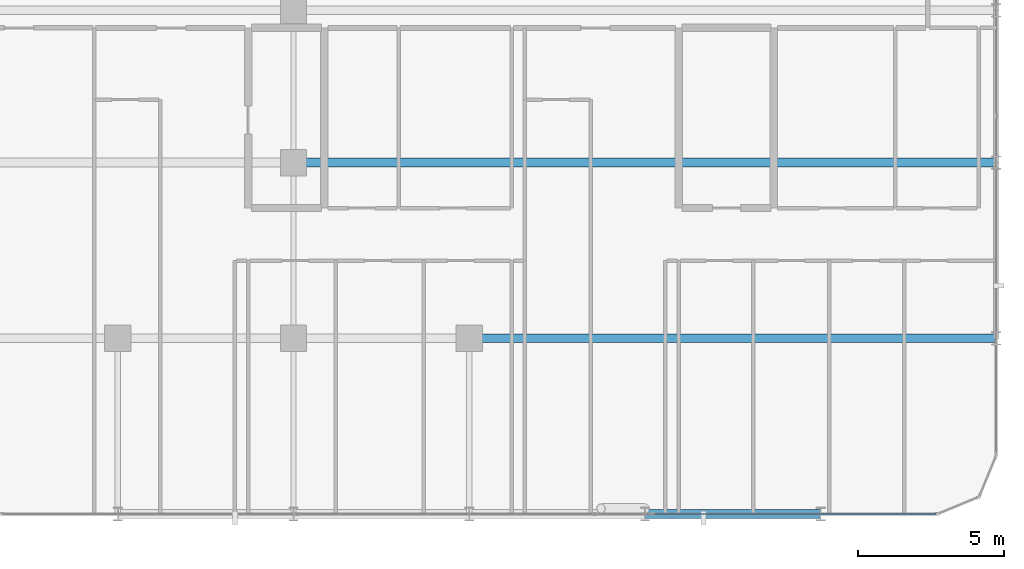
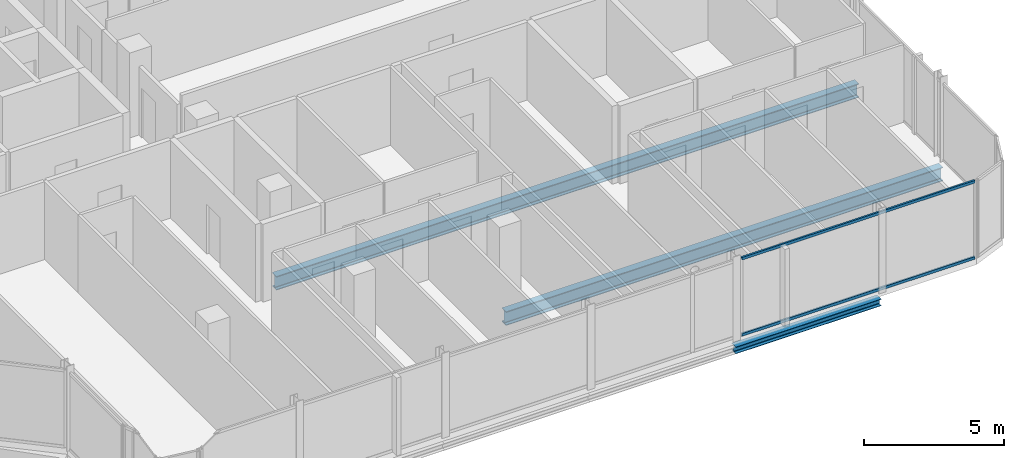
# One storey, part 11 of 29: 3 beams, 2 members, 1 element without a shape of its own.
"""IFC4 building model written with IfcOpenShell, lengths in metres."""

from ifc_helpers import new_model, si_unit, direction, frame, origin, origin_2d, place, context, subcontext, project, spatial, hollow_rectangle, i_section, extrude, material, layer, layer_set, material_profile, profile_set, type_object, element, aggregate, save


model = new_model("IFC4")

# Units and contexts
model_context = context("Model", 3, precision=1e-05, world=origin(), true_north=direction((0.0, 1.0)))
body_context = subcontext(model_context, "Body", "Model", "MODEL_VIEW")
ifc_project = project(units=[si_unit("LENGTHUNIT", "METRE"), si_unit("AREAUNIT", "SQUARE_METRE"), si_unit("VOLUMEUNIT", "CUBIC_METRE"), si_unit("PLANEANGLEUNIT", "RADIAN"), si_unit("MASSUNIT", "GRAM", prefix="KILO")], contexts=[model_context])

# Site, building, storey
site_placement = place(None, origin())
site = spatial("IfcSite", under=ifc_project, at=site_placement, CompositionType="ELEMENT")
building_placement = place(site_placement, origin())
building = spatial("IfcBuilding", under=site, at=building_placement, Name="Keshet Zoharim Tower", CompositionType="ELEMENT")
storey_placement = place(building_placement, frame((0.0, 0.0, 188.39990234375)))
storey = spatial("IfcBuildingStorey", under=building, at=storey_placement, Name="L46", CompositionType="ELEMENT", Elevation=188.39990234375)

# Beams
ifc_material_1 = material(Name="Steel S355", Category="steel")
ifc_material_profile_1 = material_profile(ifc_material_1, i_section(OverallWidth=0.300048828125, OverallDepth=0.60009765625, WebThickness=0.015380859375, FlangeThickness=0.030029296875, FilletRadius=0.027099609375, at=origin_2d()), Name="HEB600")
ifc_profile_set_1 = profile_set([ifc_material_profile_1], Name="Steel S355")
beam_type_1 = type_object("IfcBeamType", Name="BM-LNG-HB600", PredefinedType="BEAM", material=ifc_profile_set_1)
beam_1_placement = place(storey_placement, frame((39.0, 6.699951171875, -0.60986328125), z_axis=(1.0, 0.0, 0.0), x_axis=(0.0, 1.0, 0.0)))
element("IfcBeam", 1, at=beam_1_placement, inside=storey, type_object=beam_type_1, Name="L46 Primary Girder X-008", PredefinedType="BEAM", context=body_context, shape_type="SweptSolid", body=[
    extrude(i_section(OverallWidth=0.300048828125, OverallDepth=0.60009765625, WebThickness=0.015380859375, FlangeThickness=0.030029296875, FilletRadius=0.027099609375, at=origin_2d()), origin(), (0.0, 0.0, 1.0), 18.0),
])
beam_2_placement = place(storey_placement, frame((33.0, 12.699951171875, -0.60986328125), z_axis=(1.0, 0.0, 0.0), x_axis=(0.0, 1.0, 0.0)))
element("IfcBeam", 2, at=beam_2_placement, inside=storey, type_object=beam_type_1, Name="L46 Primary Girder X-010", PredefinedType="BEAM", context=body_context, shape_type="SweptSolid", body=[
    extrude(i_section(OverallWidth=0.300048828125, OverallDepth=0.60009765625, WebThickness=0.015380859375, FlangeThickness=0.030029296875, FilletRadius=0.027099609375, at=origin_2d()), origin(), (0.0, 0.0, 1.0), 24.0),
])
ifc_material_profile_2 = material_profile(ifc_material_1, i_section(OverallWidth=0.300048828125, OverallDepth=0.300048828125, WebThickness=0.010986328125, FlangeThickness=0.01904296875, FilletRadius=0.027099609375, at=origin_2d()), Name="HEB300")
ifc_profile_set_2 = profile_set([ifc_material_profile_2], Name="Steel S355")
beam_type_2 = type_object("IfcBeamType", Name="BM-PRI-HB300", PredefinedType="BEAM", material=ifc_profile_set_2)
beam_3_placement = place(storey_placement, frame((45.0, 0.699951171875, -0.4599609375), z_axis=(1.0, 0.0, 0.0), x_axis=(0.0, 1.0, 0.0)))
element("IfcBeam", 3, at=beam_3_placement, inside=storey, type_object=beam_type_2, Name="L46 Primary Girder X-004", PredefinedType="BEAM", context=body_context, shape_type="SweptSolid", body=[
    extrude(i_section(OverallWidth=0.300048828125, OverallDepth=0.300048828125, WebThickness=0.010986328125, FlangeThickness=0.01904296875, FilletRadius=0.027099609375, at=origin_2d()), origin(), (0.0, 0.0, 1.0), 6.0),
])

# Curtain wall, members
ifc_material_2 = material(Name="Aluminium 6063-T6", Category="aluminium")
ifc_layer = layer(ifc_material_2, 0.139892578125)
ifc_layer_set = layer_set([ifc_layer], Name="Aluminium 6063-T6")
curtain_wall_type = type_object("IfcCurtainWallType", Name="CW-SYS-05", PredefinedType="NOTDEFINED", material=ifc_layer_set)
curtain_wall_placement = place(storey_placement, origin())
curtain_wall = element("IfcCurtainWall", 4, at=curtain_wall_placement, inside=storey, type_object=curtain_wall_type, Name="L46 Unitised Curtain Wall 06", PredefinedType="NOTDEFINED")
ifc_material_profile_3 = material_profile(ifc_material_2, hollow_rectangle(XDim=0.074951171875, YDim=0.1201171875, WallThickness=0.00390625, at=origin_2d()), Name="TRN-75x120")
ifc_profile_set_3 = profile_set([ifc_material_profile_3], Name="Aluminium 6063-T6")
member_type = type_object("IfcMemberType", Name="CWT-T12", PredefinedType="USERDEFINED", material=ifc_profile_set_3)
member_1_placement = place(storey_placement, frame((54.929931640625, 0.699951171875, 0.03515625), z_axis=(-1.0, 0.0, 0.0), x_axis=(0.0, -1.0, 0.0)))
member_1 = element("IfcMember", 5, at=member_1_placement, type_object=member_type, Name="CW-05 transom 1.1", ObjectType="TRANSOM", PredefinedType="USERDEFINED", context=body_context, shape_type="SweptSolid", body=[
    extrude(hollow_rectangle(XDim=0.074951171875, YDim=0.1201171875, WallThickness=0.00390625, at=origin_2d()), origin(), (0.0, 0.0, 1.0), 9.61181640625),
])
member_2_placement = place(storey_placement, frame((54.929931640625, 0.699951171875, 3.35498046875), z_axis=(-1.0, 0.0, 0.0), x_axis=(0.0, -1.0, 0.0)))
member_2 = element("IfcMember", 6, at=member_2_placement, type_object=member_type, Name="CW-05 transom 1.2", ObjectType="TRANSOM", PredefinedType="USERDEFINED", context=body_context, shape_type="SweptSolid", body=[
    extrude(hollow_rectangle(XDim=0.074951171875, YDim=0.1201171875, WallThickness=0.00390625, at=origin_2d()), origin(), (0.0, 0.0, 1.0), 9.61181640625),
])
aggregate(curtain_wall, [member_1, member_2])

save(model, "model.ifc")
